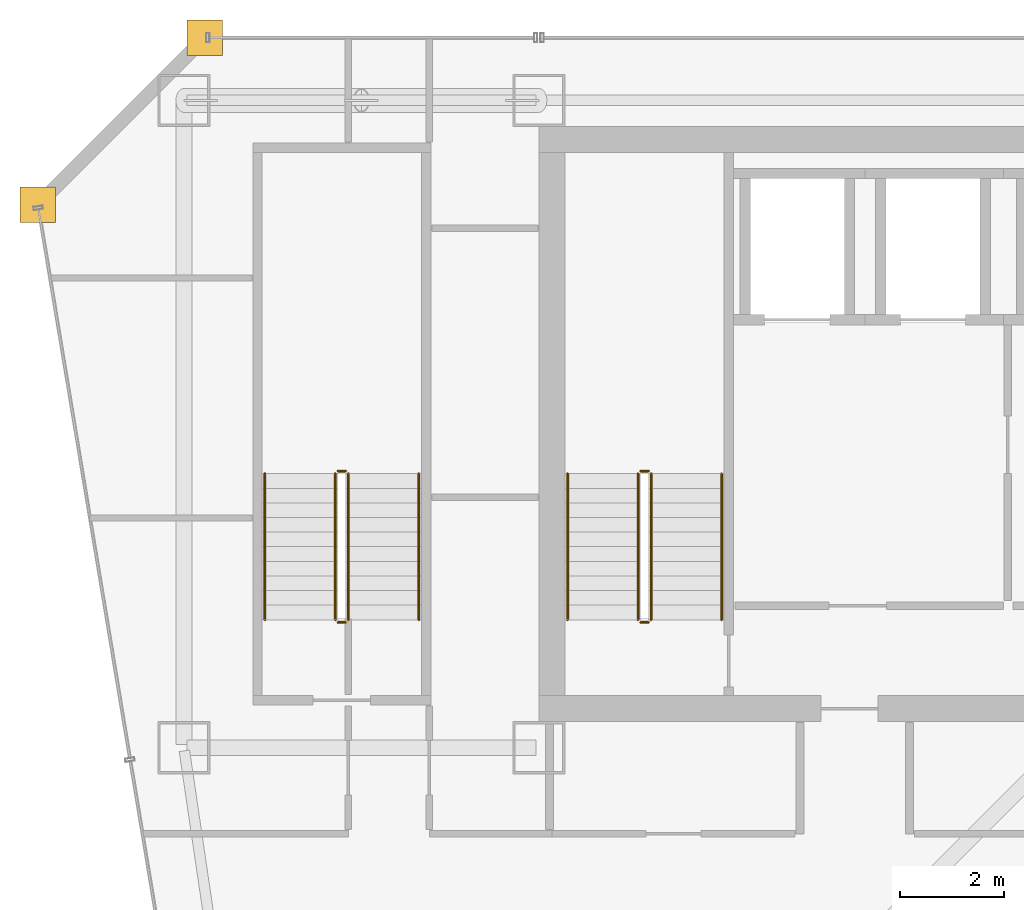
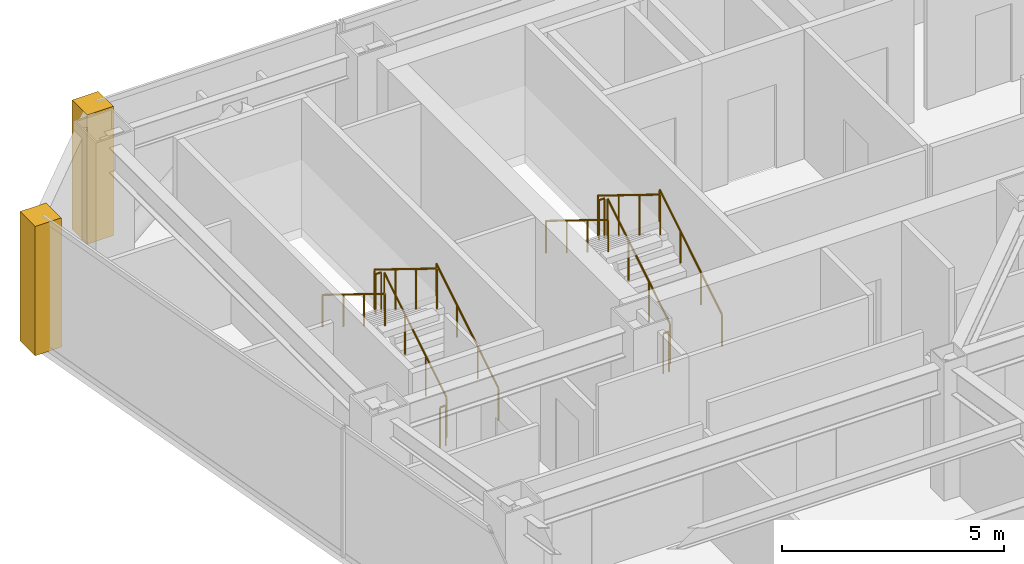
# One storey, part 37 of 38: 12 railings, 2 coverings.
"""IFC4 building model written with IfcOpenShell, lengths in metres."""

from ifc_helpers import new_model, si_unit, direction, frame, origin, origin_2d, place, context, subcontext, project, spatial, polyline, circle, outline, extrude, material, layer, layer_set, type_object, element, save


model = new_model("IFC4")

# Units and contexts
model_context = context("Model", 3, precision=1e-05, world=origin(), true_north=direction((0.0, 1.0)))
body_context = subcontext(model_context, "Body", "Model", "MODEL_VIEW")
ifc_project = project(units=[si_unit("LENGTHUNIT", "METRE"), si_unit("AREAUNIT", "SQUARE_METRE"), si_unit("VOLUMEUNIT", "CUBIC_METRE"), si_unit("PLANEANGLEUNIT", "RADIAN"), si_unit("MASSUNIT", "GRAM", prefix="KILO")], contexts=[model_context])

# Site, building, storey
site_placement = place(None, origin())
site = spatial("IfcSite", under=ifc_project, at=site_placement, CompositionType="ELEMENT")
building_placement = place(site_placement, origin())
building = spatial("IfcBuilding", under=site, at=building_placement, Name="Saevonmaru Cultural Tower", CompositionType="ELEMENT")
storey_placement = place(building_placement, frame((0.0, 0.0, 137.199951171875)))
storey = spatial("IfcBuildingStorey", under=building, at=storey_placement, Name="L29", CompositionType="ELEMENT", Elevation=137.199951171875)

# Coverings
ifc_material_1 = material(Name="Satin Bronze Anodised Aluminium", Category="aluminium")
ifc_layer = layer(ifc_material_1, 0.679931640625, Name="Satin Bronze Anodised Aluminium")
ifc_layer_set = layer_set([ifc_layer], Name="Satin Bronze Anodised Aluminium")
covering_type = type_object("IfcCoveringType", Name="CV-CORNER-CLAD", PredefinedType="CLADDING", material=ifc_layer_set)
covering_1_placement = place(storey_placement, origin())
element("IfcCovering", 1, at=covering_1_placement, inside=storey, type_object=covering_type, Name="L29 Tower Bronze Corner Cladding Pier 11", PredefinedType="CLADDING", context=body_context, shape_type="SweptSolid", body=[
    extrude(outline(polyline([(6.860107421875, 55.659912109375), (7.5400390625, 55.659912109375), (7.5400390625, 56.340087890625), (6.860107421875, 56.340087890625), (6.860107421875, 55.659912109375)])), origin(), (0.0, 0.0, 1.0), 3.550048828125),
])
covering_2_placement = place(storey_placement, origin())
element("IfcCovering", 2, at=covering_2_placement, inside=storey, type_object=covering_type, Name="L29 Tower Bronze Corner Cladding Pier 12", PredefinedType="CLADDING", context=body_context, shape_type="SweptSolid", body=[
    extrude(outline(polyline([(3.659912109375, 52.4599609375), (4.340087890625, 52.4599609375), (4.340087890625, 53.139892578125), (3.659912109375, 53.139892578125), (3.659912109375, 52.4599609375)])), origin(), (0.0, 0.0, 1.0), 3.550048828125),
])

# Railings
ifc_material_2 = material(Name="Architectural Painted Steel", Category="steel")
railing_type_1 = type_object("IfcRailingType", Name="RL-STAIR-GUARD", PredefinedType="GUARDRAIL", material=ifc_material_2)
railing_1_placement = place(storey_placement, frame((15.75, 44.85009765625, 0.1728515625)))
element("IfcRailing", 3, at=railing_1_placement, inside=storey, type_object=railing_type_1, Name="L29 ST-1 stair guard 1", PredefinedType="GUARDRAIL", context=body_context, shape_type="SweptSolid", body=[
    extrude(circle(Radius=0.02392578125, at=origin_2d()), frame((0.0, 0.0, 1.09619140625), z_axis=(0.0, 0.851069175582, 0.525053576669), x_axis=(-1.0, 0.0, 0.0)), (0.0, 0.0, 1.0), 3.289794921875),
    extrude(circle(Radius=0.02099609375, at=origin_2d()), origin(), (0.0, 0.0, 1.0), 1.072021484375),
    extrude(circle(Radius=0.02099609375, at=origin_2d()), frame((0.0, 0.933349609375, 0.57568359375)), (0.0, 0.0, 1.0), 1.072021484375),
    extrude(circle(Radius=0.02099609375, at=origin_2d()), frame((0.0, 1.866455078125, 1.151611328125)), (0.0, 0.0, 1.0), 1.072021484375),
    extrude(circle(Radius=0.02099609375, at=origin_2d()), frame((0.0, 2.7998046875, 1.727294921875)), (0.0, 0.0, 1.0), 1.072021484375),
])
railing_2_placement = place(storey_placement, frame((15.699951171875, 47.699951171875, 1.900146484375)))
element("IfcRailing", 4, at=railing_2_placement, inside=storey, type_object=railing_type_1, Name="L29 ST-1 stair guard 2", PredefinedType="GUARDRAIL", context=body_context, shape_type="SweptSolid", body=[
    extrude(circle(Radius=0.02392578125, at=origin_2d()), frame((0.0, 0.0, 1.09619140625), z_axis=(-1.0, 0.0, 0.0), x_axis=(0.0, -1.0, 0.0)), (0.0, 0.0, 1.0), 0.14990234375),
    extrude(circle(Radius=0.02099609375, at=origin_2d()), origin(), (0.0, 0.0, 1.0), 1.072021484375),
    extrude(circle(Radius=0.02099609375, at=origin_2d()), frame((-0.14990234375, 0.0, 0.0)), (0.0, 0.0, 1.0), 1.072021484375),
])
railing_3_placement = place(storey_placement, frame((15.5, 47.64990234375, 2.07275390625)))
element("IfcRailing", 5, at=railing_3_placement, inside=storey, type_object=railing_type_1, Name="L29 ST-1 stair guard 3", PredefinedType="GUARDRAIL", context=body_context, shape_type="SweptSolid", body=[
    extrude(circle(Radius=0.02392578125, at=origin_2d()), frame((0.0, 0.0, 1.09619140625), z_axis=(0.0, -0.851069175582, 0.525053576669), x_axis=(1.0, 0.0, 0.0)), (0.0, 0.0, 1.0), 3.289794921875),
    extrude(circle(Radius=0.02099609375, at=origin_2d()), origin(), (0.0, 0.0, 1.0), 1.072021484375),
    extrude(circle(Radius=0.02099609375, at=origin_2d()), frame((0.0, -0.933349609375, 0.57568359375)), (0.0, 0.0, 1.0), 1.072021484375),
    extrude(circle(Radius=0.02099609375, at=origin_2d()), frame((0.0, -1.866455078125, 1.151611328125)), (0.0, 0.0, 1.0), 1.072021484375),
    extrude(circle(Radius=0.02099609375, at=origin_2d()), frame((0.0, -2.7998046875, 1.727294921875)), (0.0, 0.0, 1.0), 1.072021484375),
])
railing_4_placement = place(storey_placement, frame((15.699951171875, 44.800048828125, 0.0)))
element("IfcRailing", 6, at=railing_4_placement, inside=storey, type_object=railing_type_1, Name="L29 ST-1 stair guard 4", PredefinedType="GUARDRAIL", context=body_context, shape_type="SweptSolid", body=[
    extrude(circle(Radius=0.02392578125, at=origin_2d()), frame((0.0, 0.0, 1.09619140625), z_axis=(-1.0, 0.0, 0.0), x_axis=(0.0, -1.0, 0.0)), (0.0, 0.0, 1.0), 0.14990234375),
    extrude(circle(Radius=0.02099609375, at=origin_2d()), origin(), (0.0, 0.0, 1.0), 1.072021484375),
    extrude(circle(Radius=0.02099609375, at=origin_2d()), frame((-0.14990234375, 0.0, 0.0)), (0.0, 0.0, 1.0), 1.072021484375),
])
railing_5_placement = place(storey_placement, frame((9.949951171875, 44.85009765625, 0.1728515625)))
element("IfcRailing", 7, at=railing_5_placement, inside=storey, type_object=railing_type_1, Name="L29 ST-3 stair guard 1", PredefinedType="GUARDRAIL", context=body_context, shape_type="SweptSolid", body=[
    extrude(circle(Radius=0.02392578125, at=origin_2d()), frame((0.0, 0.0, 1.09619140625), z_axis=(0.0, 0.851069175582, 0.525053576669), x_axis=(-1.0, 0.0, 0.0)), (0.0, 0.0, 1.0), 3.289794921875),
    extrude(circle(Radius=0.02099609375, at=origin_2d()), origin(), (0.0, 0.0, 1.0), 1.072021484375),
    extrude(circle(Radius=0.02099609375, at=origin_2d()), frame((0.0, 0.933349609375, 0.57568359375)), (0.0, 0.0, 1.0), 1.072021484375),
    extrude(circle(Radius=0.02099609375, at=origin_2d()), frame((0.0, 1.866455078125, 1.151611328125)), (0.0, 0.0, 1.0), 1.072021484375),
    extrude(circle(Radius=0.02099609375, at=origin_2d()), frame((0.0, 2.7998046875, 1.727294921875)), (0.0, 0.0, 1.0), 1.072021484375),
])
railing_6_placement = place(storey_placement, frame((9.89990234375, 47.699951171875, 1.900146484375)))
element("IfcRailing", 8, at=railing_6_placement, inside=storey, type_object=railing_type_1, Name="L29 ST-3 stair guard 2", PredefinedType="GUARDRAIL", context=body_context, shape_type="SweptSolid", body=[
    extrude(circle(Radius=0.02392578125, at=origin_2d()), frame((0.0, 0.0, 1.09619140625), z_axis=(-1.0, 0.0, 0.0), x_axis=(0.0, -1.0, 0.0)), (0.0, 0.0, 1.0), 0.14990234375),
    extrude(circle(Radius=0.02099609375, at=origin_2d()), origin(), (0.0, 0.0, 1.0), 1.072021484375),
    extrude(circle(Radius=0.02099609375, at=origin_2d()), frame((-0.14990234375, 0.0, 0.0)), (0.0, 0.0, 1.0), 1.072021484375),
])
railing_7_placement = place(storey_placement, frame((9.699951171875, 47.64990234375, 2.07275390625)))
element("IfcRailing", 9, at=railing_7_placement, inside=storey, type_object=railing_type_1, Name="L29 ST-3 stair guard 3", PredefinedType="GUARDRAIL", context=body_context, shape_type="SweptSolid", body=[
    extrude(circle(Radius=0.02392578125, at=origin_2d()), frame((0.0, 0.0, 1.09619140625), z_axis=(0.0, -0.851069175582, 0.525053576669), x_axis=(1.0, 0.0, 0.0)), (0.0, 0.0, 1.0), 3.289794921875),
    extrude(circle(Radius=0.02099609375, at=origin_2d()), origin(), (0.0, 0.0, 1.0), 1.072021484375),
    extrude(circle(Radius=0.02099609375, at=origin_2d()), frame((0.0, -0.933349609375, 0.57568359375)), (0.0, 0.0, 1.0), 1.072021484375),
    extrude(circle(Radius=0.02099609375, at=origin_2d()), frame((0.0, -1.866455078125, 1.151611328125)), (0.0, 0.0, 1.0), 1.072021484375),
    extrude(circle(Radius=0.02099609375, at=origin_2d()), frame((0.0, -2.7998046875, 1.727294921875)), (0.0, 0.0, 1.0), 1.072021484375),
])
railing_8_placement = place(storey_placement, frame((9.89990234375, 44.800048828125, 0.0)))
element("IfcRailing", 10, at=railing_8_placement, inside=storey, type_object=railing_type_1, Name="L29 ST-3 stair guard 4", PredefinedType="GUARDRAIL", context=body_context, shape_type="SweptSolid", body=[
    extrude(circle(Radius=0.02392578125, at=origin_2d()), frame((0.0, 0.0, 1.09619140625), z_axis=(-1.0, 0.0, 0.0), x_axis=(0.0, -1.0, 0.0)), (0.0, 0.0, 1.0), 0.14990234375),
    extrude(circle(Radius=0.02099609375, at=origin_2d()), origin(), (0.0, 0.0, 1.0), 1.072021484375),
    extrude(circle(Radius=0.02099609375, at=origin_2d()), frame((-0.14990234375, 0.0, 0.0)), (0.0, 0.0, 1.0), 1.072021484375),
])
railing_type_2 = type_object("IfcRailingType", Name="RL-STAIR-HANDRAIL", PredefinedType="HANDRAIL", material=ifc_material_1)
railing_9_placement = place(storey_placement, frame((17.10009765625, 44.85009765625, 0.1728515625)))
element("IfcRailing", 11, at=railing_9_placement, inside=storey, type_object=railing_type_2, Name="L29 ST-1 stair handrail 1", PredefinedType="HANDRAIL", context=body_context, shape_type="SweptSolid", body=[
    extrude(circle(Radius=0.02392578125, at=origin_2d()), frame((0.0, 0.0, 0.8759765625), z_axis=(0.0, 0.851069175582, 0.525053576669), x_axis=(-1.0, 0.0, 0.0)), (0.0, 0.0, 1.0), 3.289794921875),
    extrude(circle(Radius=0.02099609375, at=origin_2d()), origin(), (0.0, 0.0, 1.0), 0.851806640625),
    extrude(circle(Radius=0.02099609375, at=origin_2d()), frame((0.0, 0.933349609375, 0.57568359375)), (0.0, 0.0, 1.0), 0.851806640625),
    extrude(circle(Radius=0.02099609375, at=origin_2d()), frame((0.0, 1.866455078125, 1.151611328125)), (0.0, 0.0, 1.0), 0.851806640625),
    extrude(circle(Radius=0.02099609375, at=origin_2d()), frame((0.0, 2.7998046875, 1.727294921875)), (0.0, 0.0, 1.0), 0.851806640625),
])
railing_10_placement = place(storey_placement, frame((14.14990234375, 47.64990234375, 2.07275390625)))
element("IfcRailing", 12, at=railing_10_placement, inside=storey, type_object=railing_type_2, Name="L29 ST-1 stair handrail 2", PredefinedType="HANDRAIL", context=body_context, shape_type="SweptSolid", body=[
    extrude(circle(Radius=0.02392578125, at=origin_2d()), frame((0.0, 0.0, 0.8759765625), z_axis=(0.0, -0.851069175582, 0.525053576669), x_axis=(1.0, 0.0, 0.0)), (0.0, 0.0, 1.0), 3.289794921875),
    extrude(circle(Radius=0.02099609375, at=origin_2d()), origin(), (0.0, 0.0, 1.0), 0.851806640625),
    extrude(circle(Radius=0.02099609375, at=origin_2d()), frame((0.0, -0.933349609375, 0.57568359375)), (0.0, 0.0, 1.0), 0.851806640625),
    extrude(circle(Radius=0.02099609375, at=origin_2d()), frame((0.0, -1.866455078125, 1.151611328125)), (0.0, 0.0, 1.0), 0.851806640625),
    extrude(circle(Radius=0.02099609375, at=origin_2d()), frame((0.0, -2.7998046875, 1.727294921875)), (0.0, 0.0, 1.0), 0.851806640625),
])
railing_11_placement = place(storey_placement, frame((11.300048828125, 44.85009765625, 0.1728515625)))
element("IfcRailing", 13, at=railing_11_placement, inside=storey, type_object=railing_type_2, Name="L29 ST-3 stair handrail 1", PredefinedType="HANDRAIL", context=body_context, shape_type="SweptSolid", body=[
    extrude(circle(Radius=0.02392578125, at=origin_2d()), frame((0.0, 0.0, 0.8759765625), z_axis=(0.0, 0.851069175582, 0.525053576669), x_axis=(-1.0, 0.0, 0.0)), (0.0, 0.0, 1.0), 3.289794921875),
    extrude(circle(Radius=0.02099609375, at=origin_2d()), origin(), (0.0, 0.0, 1.0), 0.851806640625),
    extrude(circle(Radius=0.02099609375, at=origin_2d()), frame((0.0, 0.933349609375, 0.57568359375)), (0.0, 0.0, 1.0), 0.851806640625),
    extrude(circle(Radius=0.02099609375, at=origin_2d()), frame((0.0, 1.866455078125, 1.151611328125)), (0.0, 0.0, 1.0), 0.851806640625),
    extrude(circle(Radius=0.02099609375, at=origin_2d()), frame((0.0, 2.7998046875, 1.727294921875)), (0.0, 0.0, 1.0), 0.851806640625),
])
railing_12_placement = place(storey_placement, frame((8.35009765625, 47.64990234375, 2.07275390625)))
element("IfcRailing", 14, at=railing_12_placement, inside=storey, type_object=railing_type_2, Name="L29 ST-3 stair handrail 2", PredefinedType="HANDRAIL", context=body_context, shape_type="SweptSolid", body=[
    extrude(circle(Radius=0.02392578125, at=origin_2d()), frame((0.0, 0.0, 0.8759765625), z_axis=(0.0, -0.851069175582, 0.525053576669), x_axis=(1.0, 0.0, 0.0)), (0.0, 0.0, 1.0), 3.289794921875),
    extrude(circle(Radius=0.02099609375, at=origin_2d()), origin(), (0.0, 0.0, 1.0), 0.851806640625),
    extrude(circle(Radius=0.02099609375, at=origin_2d()), frame((0.0, -0.933349609375, 0.57568359375)), (0.0, 0.0, 1.0), 0.851806640625),
    extrude(circle(Radius=0.02099609375, at=origin_2d()), frame((0.0, -1.866455078125, 1.151611328125)), (0.0, 0.0, 1.0), 0.851806640625),
    extrude(circle(Radius=0.02099609375, at=origin_2d()), frame((0.0, -2.7998046875, 1.727294921875)), (0.0, 0.0, 1.0), 0.851806640625),
])

save(model, "model.ifc")
